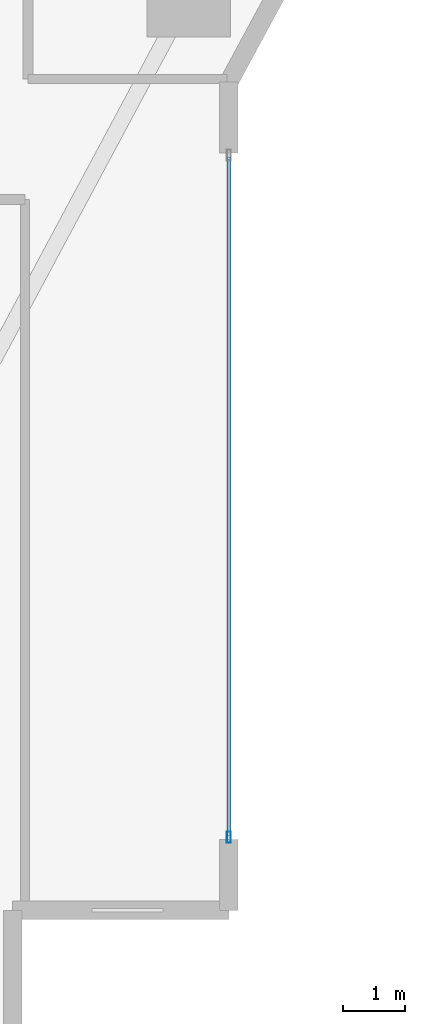
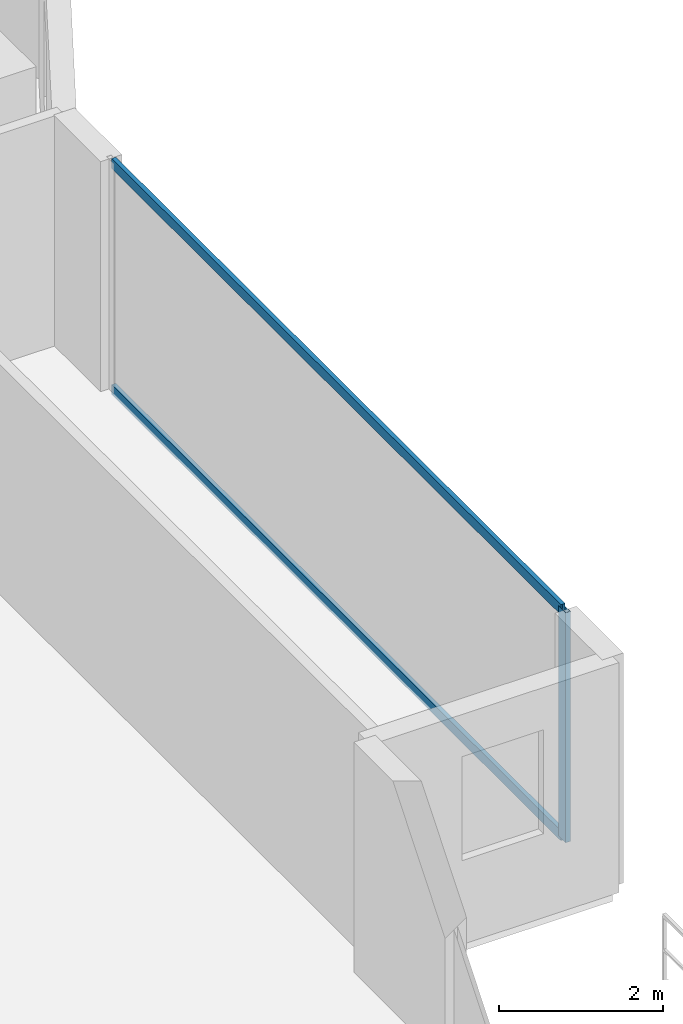
# One storey, part 11 of 30: 3 members, 1 element without a shape of its own.
"""IFC4 building model written with IfcOpenShell, lengths in metres."""

from ifc_helpers import new_model, si_unit, direction, frame, origin, origin_2d, place, context, subcontext, project, spatial, hollow_rectangle, extrude, material, layer, layer_set, material_profile, profile_set, type_object, element, aggregate, save


model = new_model("IFC4")

# Units and contexts
model_context = context("Model", 3, precision=1e-05, world=origin(), true_north=direction((0.0, 1.0)))
body_context = subcontext(model_context, "Body", "Model", "MODEL_VIEW")
ifc_project = project(units=[si_unit("LENGTHUNIT", "METRE"), si_unit("AREAUNIT", "SQUARE_METRE"), si_unit("VOLUMEUNIT", "CUBIC_METRE"), si_unit("PLANEANGLEUNIT", "RADIAN"), si_unit("MASSUNIT", "GRAM", prefix="KILO")], contexts=[model_context])

# Site, building, storey
site_placement = place(None, origin())
site = spatial("IfcSite", under=ifc_project, at=site_placement, CompositionType="ELEMENT")
building_placement = place(site_placement, origin())
building = spatial("IfcBuilding", under=site, at=building_placement, Name="Zuhayl Quay Hotel", CompositionType="ELEMENT")
storey_placement = place(building_placement, frame((0.0, 0.0, 135.800048828125)))
storey = spatial("IfcBuildingStorey", under=building, at=storey_placement, Name="L34", CompositionType="ELEMENT", Elevation=135.800048828125)

# Curtain wall, members
ifc_material_1 = material(Name="Anodised Aluminium 6063-T6", Category="aluminium")
ifc_layer = layer(ifc_material_1, 0.179931640625, Name="Anodised Aluminium 6063-T6", Category="aluminium")
ifc_layer_set = layer_set([ifc_layer], Name="Anodised Aluminium 6063-T6")
curtain_wall_type = type_object("IfcCurtainWallType", Name="CW_SYS_Z2", PredefinedType="USERDEFINED", material=ifc_layer_set)
curtain_wall_placement = place(storey_placement, origin())
curtain_wall = element("IfcCurtainWall", 1, at=curtain_wall_placement, inside=storey, type_object=curtain_wall_type, Name="L34 Curtain Wall ENV_L34_E14_CW1", ObjectType="UNITISED CURTAIN WALL", PredefinedType="USERDEFINED")
ifc_material_2 = material(Name="Black-anodised aluminium 6063-T6", Category="aluminium")
ifc_material_profile_1 = material_profile(ifc_material_2, hollow_rectangle(XDim=0.06494140625, YDim=0.179931640625, WallThickness=0.00341796875, at=origin_2d()), Name="ALU180X65")
ifc_profile_set_1 = profile_set([ifc_material_profile_1], Name="Black-anodised aluminium 6063-T6")
member_type_1 = type_object("IfcMemberType", Name="MB_CW_MUL_180", PredefinedType="MULLION", material=ifc_profile_set_1)
member_1_placement = place(storey_placement, frame((23.89990234375, -10.717529296875, 0.0), z_axis=(0.0, 0.0, 1.0), x_axis=(1.0, 0.0, 0.0)))
member_1 = element("IfcMember", 2, at=member_1_placement, type_object=member_type_1, Name="CW-Z2 mullion 2", PredefinedType="MULLION", context=body_context, shape_type="SweptSolid", body=[
    extrude(hollow_rectangle(XDim=0.06494140625, YDim=0.179931640625, WallThickness=0.00341796875, at=origin_2d()), origin(), (0.0, 0.0, 1.0), 3.429931640625),
])
ifc_material_profile_2 = material_profile(ifc_material_2, hollow_rectangle(XDim=0.06005859375, YDim=0.14990234375, WallThickness=0.00341796875, at=origin_2d()), Name="ALU150X60")
ifc_profile_set_2 = profile_set([ifc_material_profile_2], Name="Black-anodised aluminium 6063-T6")
member_type_2 = type_object("IfcMemberType", Name="MB_CW_TRN_150", PredefinedType="USERDEFINED", material=ifc_profile_set_2)
member_2_placement = place(storey_placement, frame((23.89990234375, 0.284912109375, 0.030029296875), z_axis=(0.0, -1.0, 0.0), x_axis=(1.0, 0.0, 0.0)))
member_2 = element("IfcMember", 3, at=member_2_placement, type_object=member_type_2, Name="CW-Z2 transom 1.1", ObjectType="TRANSOM", PredefinedType="USERDEFINED", context=body_context, shape_type="SweptSolid", body=[
    extrude(hollow_rectangle(XDim=0.06005859375, YDim=0.14990234375, WallThickness=0.00341796875, at=origin_2d()), origin(), (0.0, 0.0, 1.0), 10.969970703125),
])
member_3_placement = place(storey_placement, frame((23.89990234375, 0.284912109375, 3.39990234375), z_axis=(0.0, -1.0, 0.0), x_axis=(1.0, 0.0, 0.0)))
member_3 = element("IfcMember", 4, at=member_3_placement, type_object=member_type_2, Name="CW-Z2 transom 1.2", ObjectType="TRANSOM", PredefinedType="USERDEFINED", context=body_context, shape_type="SweptSolid", body=[
    extrude(hollow_rectangle(XDim=0.06005859375, YDim=0.14990234375, WallThickness=0.00341796875, at=origin_2d()), origin(), (0.0, 0.0, 1.0), 10.969970703125),
])
aggregate(curtain_wall, [member_1, member_2, member_3])

save(model, "model.ifc")
